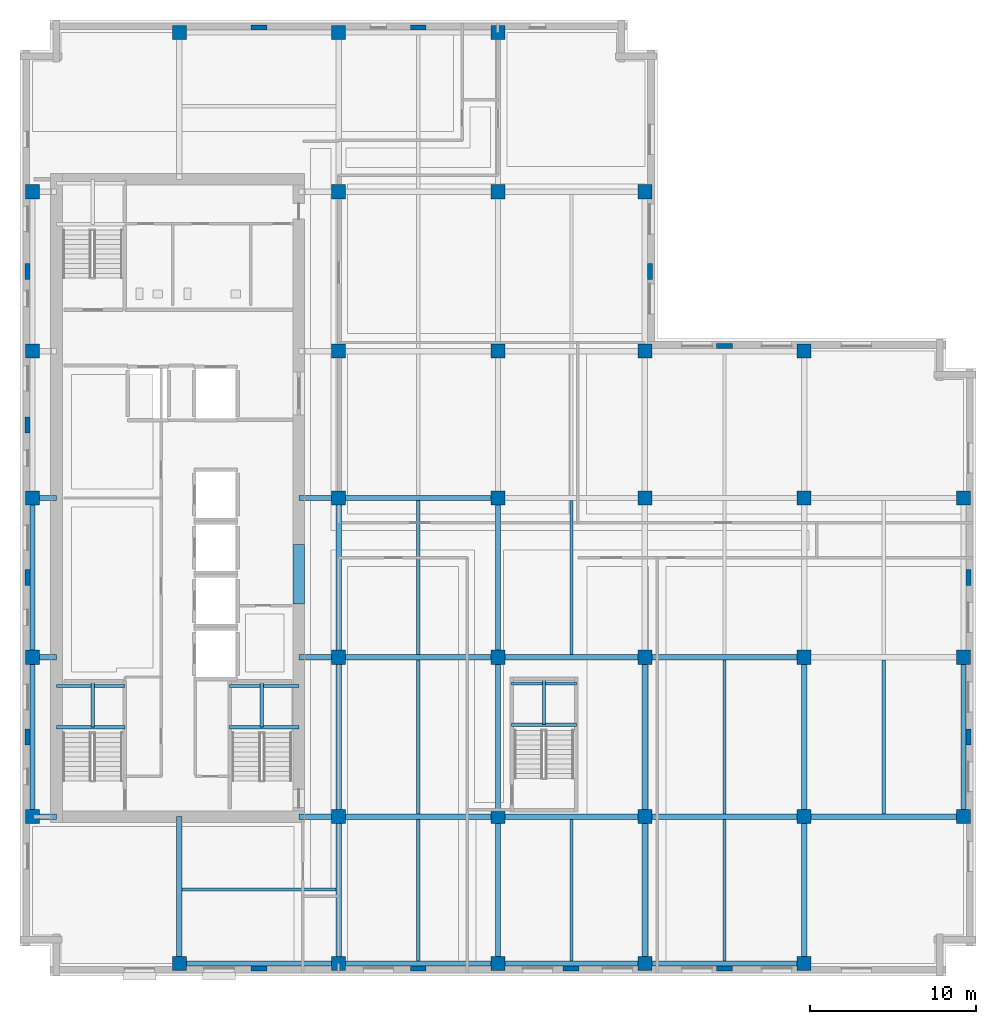
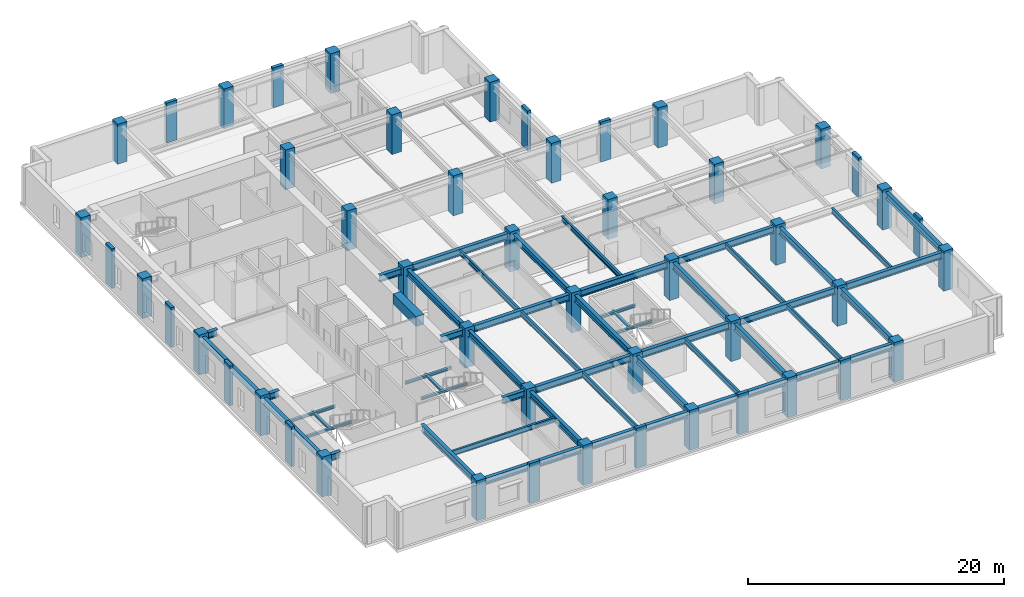
# One storey, part 1 of 14: 51 beams, 49 columns.
"""IFC4 building model written with IfcOpenShell, lengths in metres."""

from ifc_helpers import new_model, si_unit, direction, frame, origin, origin_2d, place, context, subcontext, project, spatial, rectangle, i_section, extrude, material, material_profile, profile_set, type_object, element, save


model = new_model("IFC4")

# Units and contexts
model_context = context("Model", 3, precision=1e-05, world=origin(), true_north=direction((0.0, 1.0)))
body_context = subcontext(model_context, "Body", "Model", "MODEL_VIEW")
ifc_project = project(units=[si_unit("LENGTHUNIT", "METRE"), si_unit("AREAUNIT", "SQUARE_METRE"), si_unit("VOLUMEUNIT", "CUBIC_METRE"), si_unit("PLANEANGLEUNIT", "RADIAN"), si_unit("MASSUNIT", "GRAM", prefix="KILO")], contexts=[model_context])

# Site, building, storey
site_placement = place(None, origin())
site = spatial("IfcSite", under=ifc_project, at=site_placement, CompositionType="ELEMENT")
building_placement = place(site_placement, origin())
building = spatial("IfcBuilding", under=site, at=building_placement, Name="Norrvale University Quadrangle", CompositionType="ELEMENT")
storey_placement = place(building_placement, frame((0.0, 0.0, 214.199951171875)))
storey = spatial("IfcBuildingStorey", under=building, at=storey_placement, Name="L54", CompositionType="ELEMENT", Elevation=214.199951171875)

# Columns
ifc_material_1 = material(Name="Red Manganese Brick Concrete C60/75", Category="concrete")
ifc_material_profile_1 = material_profile(ifc_material_1, rectangle(XDim=0.949951171875, YDim=0.300048828125, at=origin_2d()), Name="Red Manganese Brick Concrete C60/75")
ifc_profile_set_1 = profile_set([ifc_material_profile_1], Name="Red Manganese Brick Concrete C60/75")
column_type_1 = type_object("IfcColumnType", Name="Column Brick Pier 950x300", PredefinedType="PILASTER", material=ifc_profile_set_1)
for number, where, z_axis, x_axis, name in (
    (1, (0.449951171875, 14.39990234375, 0.0), (0.0, 0.0, 1.0), (0.0, 1.0, 0.0), "Exterior Brick Facade Pilaster L54-01"),
    (2, (0.449951171875, 24.0, 0.0), (0.0, 0.0, 1.0), (0.0, 1.0, 0.0), "Exterior Brick Facade Pilaster L54-02"),
    (3, (0.449951171875, 33.199951171875, 0.0), (0.0, 0.0, 1.0), (0.0, 1.0, 0.0), "Exterior Brick Facade Pilaster L54-03"),
    (4, (0.449951171875, 42.449951171875, 0.0), (0.0, 0.0, 1.0), (0.0, 1.0, 0.0), "Exterior Brick Facade Pilaster L54-04"),
    (5, (14.39990234375, 0.449951171875, 0.0), (0.0, 0.0, 1.0), (1.0, 0.0, 0.0), "Exterior Brick Facade Pilaster L54-05"),
    (6, (24.0, 0.449951171875, 0.0), (0.0, 0.0, 1.0), (1.0, 0.0, 0.0), "Exterior Brick Facade Pilaster L54-06"),
    (7, (33.199951171875, 0.449951171875, 0.0), (0.0, 0.0, 1.0), (1.0, 0.0, 0.0), "Exterior Brick Facade Pilaster L54-07"),
    (8, (42.449951171875, 0.449951171875, 0.0), (0.0, 0.0, 1.0), (1.0, 0.0, 0.0), "Exterior Brick Facade Pilaster L54-08"),
    (9, (57.14990234375, 14.39990234375, 0.0), (0.0, 0.0, 1.0), (0.0, 1.0, 0.0), "Exterior Brick Facade Pilaster L54-09"),
    (10, (57.14990234375, 24.0, 0.0), (0.0, 0.0, 1.0), (0.0, 1.0, 0.0), "Exterior Brick Facade Pilaster L54-10"),
    (11, (14.39990234375, 57.14990234375, 0.0), (0.0, 0.0, 1.0), (1.0, 0.0, 0.0), "Exterior Brick Facade Pilaster L54-11"),
    (12, (24.0, 57.14990234375, 0.0), (0.0, 0.0, 1.0), (1.0, 0.0, 0.0), "Exterior Brick Facade Pilaster L54-12"),
    (13, (37.949951171875, 42.449951171875, 0.0), (0.0, 0.0, 1.0), (0.0, 1.0, 0.0), "Exterior Brick Facade Pilaster L54-13"),
    (14, (42.449951171875, 37.949951171875, 0.0), (0.0, 0.0, 1.0), (1.0, 0.0, 0.0), "Exterior Brick Facade Pilaster L54-14"),
):
    element("IfcColumn", number, at=place(storey_placement, frame(where, z_axis=z_axis, x_axis=x_axis)), inside=storey, type_object=column_type_1, Name=name, PredefinedType="PILASTER", context=body_context, shape_type="SweptSolid", body=[
        extrude(rectangle(XDim=0.949951171875, YDim=0.300048828125, at=origin_2d()), origin(), (0.0, 0.0, 1.0), 3.800048828125),
    ])
ifc_material_2 = material(Name="Concrete C60/75", Category="concrete")
ifc_material_profile_2 = material_profile(ifc_material_2, rectangle(XDim=0.85009765625, YDim=0.85009765625, at=origin_2d()), Name="Concrete C60/75")
ifc_profile_set_2 = profile_set([ifc_material_profile_2], Name="Concrete C60/75")
column_type_2 = type_object("IfcColumnType", Name="Column Tower Z3 850x850", PredefinedType="COLUMN", material=ifc_profile_set_2)
for number, where, z_axis, x_axis, name in (
    (15, (0.75, 9.60009765625, 0.0), (0.0, 0.0, 1.0), (1.0, 0.0, 0.0), "Tower Column L54-T01"),
    (16, (0.75, 19.199951171875, 0.0), (0.0, 0.0, 1.0), (1.0, 0.0, 0.0), "Tower Column L54-T02"),
    (17, (0.75, 28.800048828125, 0.0), (0.0, 0.0, 1.0), (1.0, 0.0, 0.0), "Tower Column L54-T03"),
    (18, (0.75, 37.64990234375, 0.0), (0.0, 0.0, 1.0), (1.0, 0.0, 0.0), "Tower Column L54-T04"),
    (19, (0.75, 47.25, 0.0), (0.0, 0.0, 1.0), (1.0, 0.0, 0.0), "Tower Column L54-T05"),
    (20, (9.60009765625, 0.75, 0.0), (0.0, 0.0, 1.0), (1.0, 0.0, 0.0), "Tower Column L54-T06"),
    (21, (9.60009765625, 56.85009765625, 0.0), (0.0, 0.0, 1.0), (1.0, 0.0, 0.0), "Tower Column L54-T07"),
    (22, (19.199951171875, 0.75, 0.0), (0.0, 0.0, 1.0), (1.0, 0.0, 0.0), "Tower Column L54-T08"),
    (23, (19.199951171875, 9.60009765625, 0.0), (0.0, 0.0, 1.0), (1.0, 0.0, 0.0), "Tower Column L54-T09"),
    (24, (19.199951171875, 19.199951171875, 0.0), (0.0, 0.0, 1.0), (1.0, 0.0, 0.0), "Tower Column L54-T10"),
    (25, (19.199951171875, 28.800048828125, 0.0), (0.0, 0.0, 1.0), (1.0, 0.0, 0.0), "Tower Column L54-T11"),
    (26, (19.199951171875, 37.64990234375, 0.0), (0.0, 0.0, 1.0), (1.0, 0.0, 0.0), "Tower Column L54-T12"),
    (27, (19.199951171875, 47.25, 0.0), (0.0, 0.0, 1.0), (1.0, 0.0, 0.0), "Tower Column L54-T13"),
    (28, (19.199951171875, 56.85009765625, 0.0), (0.0, 0.0, 1.0), (1.0, 0.0, 0.0), "Tower Column L54-T14"),
    (29, (28.800048828125, 0.75, 0.0), (0.0, 0.0, 1.0), (1.0, 0.0, 0.0), "Tower Column L54-T15"),
    (30, (28.800048828125, 9.60009765625, 0.0), (0.0, 0.0, 1.0), (1.0, 0.0, 0.0), "Tower Column L54-T16"),
    (31, (28.800048828125, 19.199951171875, 0.0), (0.0, 0.0, 1.0), (1.0, 0.0, 0.0), "Tower Column L54-T17"),
    (32, (28.800048828125, 28.800048828125, 0.0), (0.0, 0.0, 1.0), (1.0, 0.0, 0.0), "Tower Column L54-T18"),
    (33, (28.800048828125, 37.64990234375, 0.0), (0.0, 0.0, 1.0), (1.0, 0.0, 0.0), "Tower Column L54-T19"),
    (34, (28.800048828125, 47.25, 0.0), (0.0, 0.0, 1.0), (1.0, 0.0, 0.0), "Tower Column L54-T20"),
    (35, (28.800048828125, 56.85009765625, 0.0), (0.0, 0.0, 1.0), (1.0, 0.0, 0.0), "Tower Column L54-T21"),
    (36, (37.64990234375, 0.75, 0.0), (0.0, 0.0, 1.0), (1.0, 0.0, 0.0), "Tower Column L54-T22"),
    (37, (37.64990234375, 9.60009765625, 0.0), (0.0, 0.0, 1.0), (1.0, 0.0, 0.0), "Tower Column L54-T23"),
    (38, (37.64990234375, 19.199951171875, 0.0), (0.0, 0.0, 1.0), (1.0, 0.0, 0.0), "Tower Column L54-T24"),
    (39, (37.64990234375, 28.800048828125, 0.0), (0.0, 0.0, 1.0), (1.0, 0.0, 0.0), "Tower Column L54-T25"),
    (40, (37.64990234375, 37.64990234375, 0.0), (0.0, 0.0, 1.0), (1.0, 0.0, 0.0), "Tower Column L54-T26"),
    (41, (37.64990234375, 47.25, 0.0), (0.0, 0.0, 1.0), (1.0, 0.0, 0.0), "Tower Column L54-T27"),
    (42, (47.25, 0.75, 0.0), (0.0, 0.0, 1.0), (1.0, 0.0, 0.0), "Tower Column L54-T28"),
    (43, (47.25, 9.60009765625, 0.0), (0.0, 0.0, 1.0), (1.0, 0.0, 0.0), "Tower Column L54-T29"),
    (44, (47.25, 19.199951171875, 0.0), (0.0, 0.0, 1.0), (1.0, 0.0, 0.0), "Tower Column L54-T30"),
    (45, (47.25, 28.800048828125, 0.0), (0.0, 0.0, 1.0), (1.0, 0.0, 0.0), "Tower Column L54-T31"),
    (46, (47.25, 37.64990234375, 0.0), (0.0, 0.0, 1.0), (1.0, 0.0, 0.0), "Tower Column L54-T32"),
    (47, (56.85009765625, 9.60009765625, 0.0), (0.0, 0.0, 1.0), (1.0, 0.0, 0.0), "Tower Column L54-T33"),
    (48, (56.85009765625, 19.199951171875, 0.0), (0.0, 0.0, 1.0), (1.0, 0.0, 0.0), "Tower Column L54-T34"),
    (49, (56.85009765625, 28.800048828125, 0.0), (0.0, 0.0, 1.0), (1.0, 0.0, 0.0), "Tower Column L54-T35"),
):
    element("IfcColumn", number, at=place(storey_placement, frame(where, z_axis=z_axis, x_axis=x_axis)), inside=storey, type_object=column_type_2, Name=name, PredefinedType="COLUMN", context=body_context, shape_type="SweptSolid", body=[
        extrude(rectangle(XDim=0.85009765625, YDim=0.85009765625, at=origin_2d()), origin(), (0.0, 0.0, 1.0), 3.800048828125),
    ])

# Beams
ifc_material_3 = material(Name="Steel 350W", Category="steel")
ifc_material_profile_3 = material_profile(ifc_material_3, i_section(OverallWidth=0.324951171875, OverallDepth=0.615966796875, WebThickness=0.013916015625, FlangeThickness=0.021484375, FilletRadius=0.01611328125, at=origin_2d()), Name="Steel 350W")
ifc_profile_set_3 = profile_set([ifc_material_profile_3], Name="Steel 350W")
beam_type_1 = type_object("IfcBeamType", Name="Beam Belt W610x174", PredefinedType="BEAM", material=ifc_profile_set_3)
beam_1_placement = place(storey_placement, frame((9.60009765625, 0.75, 3.23193359375), z_axis=(1.0, 0.0, 0.0), x_axis=(0.0, 1.0, 0.0)))
element("IfcBeam", 50, at=beam_1_placement, inside=storey, type_object=beam_type_1, Name="Beam Belt W610x174 BM-L54-GX001", PredefinedType="BEAM", context=body_context, shape_type="SweptSolid", body=[
    extrude(i_section(OverallWidth=0.324951171875, OverallDepth=0.615966796875, WebThickness=0.013916015625, FlangeThickness=0.021484375, FilletRadius=0.01611328125, at=origin_2d()), origin(), (0.0, 0.0, 1.0), 9.599853515625),
])
beam_2_placement = place(storey_placement, frame((19.199951171875, 0.75, 3.23193359375), z_axis=(1.0, 0.0, 0.0), x_axis=(0.0, 1.0, 0.0)))
element("IfcBeam", 51, at=beam_2_placement, inside=storey, type_object=beam_type_1, Name="Beam Belt W610x174 BM-L54-GX002", PredefinedType="BEAM", context=body_context, shape_type="SweptSolid", body=[
    extrude(i_section(OverallWidth=0.324951171875, OverallDepth=0.615966796875, WebThickness=0.013916015625, FlangeThickness=0.021484375, FilletRadius=0.01611328125, at=origin_2d()), origin(), (0.0, 0.0, 1.0), 9.60009765625),
])
beam_3_placement = place(storey_placement, frame((28.800048828125, 0.75, 3.23193359375), z_axis=(1.0, 0.0, 0.0), x_axis=(0.0, 1.0, 0.0)))
element("IfcBeam", 52, at=beam_3_placement, inside=storey, type_object=beam_type_1, Name="Beam Belt W610x174 BM-L54-GX003", PredefinedType="BEAM", context=body_context, shape_type="SweptSolid", body=[
    extrude(i_section(OverallWidth=0.324951171875, OverallDepth=0.615966796875, WebThickness=0.013916015625, FlangeThickness=0.021484375, FilletRadius=0.01611328125, at=origin_2d()), origin(), (0.0, 0.0, 1.0), 8.849853515625),
])
for number, where, z_axis, x_axis, name in (
    (53, (37.64990234375, 0.75, 3.23193359375), (1.0, 0.0, 0.0), (0.0, 1.0, 0.0), "Beam Belt W610x174 BM-L54-GX004"),
    (54, (19.199951171875, 9.60009765625, 3.23193359375), (1.0, 0.0, 0.0), (0.0, 1.0, 0.0), "Beam Belt W610x174 BM-L54-GX005"),
):
    element("IfcBeam", number, at=place(storey_placement, frame(where, z_axis=z_axis, x_axis=x_axis)), inside=storey, type_object=beam_type_1, Name=name, PredefinedType="BEAM", context=body_context, shape_type="SweptSolid", body=[
        extrude(i_section(OverallWidth=0.324951171875, OverallDepth=0.615966796875, WebThickness=0.013916015625, FlangeThickness=0.021484375, FilletRadius=0.01611328125, at=origin_2d()), origin(), (0.0, 0.0, 1.0), 9.60009765625),
    ])
beam_4_placement = place(storey_placement, frame((28.800048828125, 9.60009765625, 3.23193359375), z_axis=(1.0, 0.0, 0.0), x_axis=(0.0, 1.0, 0.0)))
element("IfcBeam", 55, at=beam_4_placement, inside=storey, type_object=beam_type_1, Name="Beam Belt W610x174 BM-L54-GX006", PredefinedType="BEAM", context=body_context, shape_type="SweptSolid", body=[
    extrude(i_section(OverallWidth=0.324951171875, OverallDepth=0.615966796875, WebThickness=0.013916015625, FlangeThickness=0.021484375, FilletRadius=0.01611328125, at=origin_2d()), origin(), (0.0, 0.0, 1.0), 8.849853515625),
])
for number, where, z_axis, x_axis, name in (
    (56, (37.64990234375, 9.60009765625, 3.23193359375), (1.0, 0.0, 0.0), (0.0, 1.0, 0.0), "Beam Belt W610x174 BM-L54-GX007"),
    (57, (47.25, 9.60009765625, 3.23193359375), (1.0, 0.0, 0.0), (0.0, 1.0, 0.0), "Beam Belt W610x174 BM-L54-GX008"),
    (58, (19.199951171875, 19.199951171875, 3.23193359375), (1.0, 0.0, 0.0), (0.0, 1.0, 0.0), "Beam Belt W610x174 BM-L54-GX009"),
):
    element("IfcBeam", number, at=place(storey_placement, frame(where, z_axis=z_axis, x_axis=x_axis)), inside=storey, type_object=beam_type_1, Name=name, PredefinedType="BEAM", context=body_context, shape_type="SweptSolid", body=[
        extrude(i_section(OverallWidth=0.324951171875, OverallDepth=0.615966796875, WebThickness=0.013916015625, FlangeThickness=0.021484375, FilletRadius=0.01611328125, at=origin_2d()), origin(), (0.0, 0.0, 1.0), 9.60009765625),
    ])
beam_5_placement = place(storey_placement, frame((28.800048828125, 19.199951171875, 3.23193359375), z_axis=(1.0, 0.0, 0.0), x_axis=(0.0, 1.0, 0.0)))
element("IfcBeam", 59, at=beam_5_placement, inside=storey, type_object=beam_type_1, Name="Beam Belt W610x174 BM-L54-GX010", PredefinedType="BEAM", context=body_context, shape_type="SweptSolid", body=[
    extrude(i_section(OverallWidth=0.324951171875, OverallDepth=0.615966796875, WebThickness=0.013916015625, FlangeThickness=0.021484375, FilletRadius=0.01611328125, at=origin_2d()), origin(), (0.0, 0.0, 1.0), 8.849853515625),
])
for number, where, z_axis, x_axis, name in (
    (60, (37.64990234375, 19.199951171875, 3.23193359375), (1.0, 0.0, 0.0), (0.0, 1.0, 0.0), "Beam Belt W610x174 BM-L54-GX011"),
    (61, (19.199951171875, 28.800048828125, 3.23193359375), (1.0, 0.0, 0.0), (0.0, 1.0, 0.0), "Beam Belt W610x174 BM-L54-GX013"),
):
    element("IfcBeam", number, at=place(storey_placement, frame(where, z_axis=z_axis, x_axis=x_axis)), inside=storey, type_object=beam_type_1, Name=name, PredefinedType="BEAM", context=body_context, shape_type="SweptSolid", body=[
        extrude(i_section(OverallWidth=0.324951171875, OverallDepth=0.615966796875, WebThickness=0.013916015625, FlangeThickness=0.021484375, FilletRadius=0.01611328125, at=origin_2d()), origin(), (0.0, 0.0, 1.0), 9.60009765625),
    ])
beam_6_placement = place(storey_placement, frame((0.75, 9.60009765625, 3.23193359375), z_axis=(0.0, 1.0, 0.0), x_axis=(-1.0, 0.0, 0.0)))
element("IfcBeam", 62, at=beam_6_placement, inside=storey, type_object=beam_type_1, Name="Beam Belt W610x174 BM-L54-GY024", PredefinedType="BEAM", context=body_context, shape_type="SweptSolid", body=[
    extrude(i_section(OverallWidth=0.324951171875, OverallDepth=0.615966796875, WebThickness=0.013916015625, FlangeThickness=0.021484375, FilletRadius=0.01611328125, at=origin_2d()), origin(), (0.0, 0.0, 1.0), 9.599853515625),
])
beam_7_placement = place(storey_placement, frame((0.75, 19.199951171875, 3.23193359375), z_axis=(0.0, 1.0, 0.0), x_axis=(-1.0, 0.0, 0.0)))
element("IfcBeam", 63, at=beam_7_placement, inside=storey, type_object=beam_type_1, Name="Beam Belt W610x174 BM-L54-GY025", PredefinedType="BEAM", context=body_context, shape_type="SweptSolid", body=[
    extrude(i_section(OverallWidth=0.324951171875, OverallDepth=0.615966796875, WebThickness=0.013916015625, FlangeThickness=0.021484375, FilletRadius=0.01611328125, at=origin_2d()), origin(), (0.0, 0.0, 1.0), 9.60009765625),
])
beam_8_placement = place(storey_placement, frame((19.199951171875, 0.75, 3.23193359375), z_axis=(0.0, 1.0, 0.0), x_axis=(-1.0, 0.0, 0.0)))
element("IfcBeam", 64, at=beam_8_placement, inside=storey, type_object=beam_type_1, Name="Beam Belt W610x174 BM-L54-GY028", PredefinedType="BEAM", context=body_context, shape_type="SweptSolid", body=[
    extrude(i_section(OverallWidth=0.324951171875, OverallDepth=0.615966796875, WebThickness=0.013916015625, FlangeThickness=0.021484375, FilletRadius=0.01611328125, at=origin_2d()), origin(), (0.0, 0.0, 1.0), 8.85009765625),
])
beam_9_placement = place(storey_placement, frame((19.199951171875, 9.60009765625, 3.23193359375), z_axis=(0.0, 1.0, 0.0), x_axis=(-1.0, 0.0, 0.0)))
element("IfcBeam", 65, at=beam_9_placement, inside=storey, type_object=beam_type_1, Name="Beam Belt W610x174 BM-L54-GY029", PredefinedType="BEAM", context=body_context, shape_type="SweptSolid", body=[
    extrude(i_section(OverallWidth=0.324951171875, OverallDepth=0.615966796875, WebThickness=0.013916015625, FlangeThickness=0.021484375, FilletRadius=0.01611328125, at=origin_2d()), origin(), (0.0, 0.0, 1.0), 9.599853515625),
])
beam_10_placement = place(storey_placement, frame((19.199951171875, 19.199951171875, 3.23193359375), z_axis=(0.0, 1.0, 0.0), x_axis=(-1.0, 0.0, 0.0)))
element("IfcBeam", 66, at=beam_10_placement, inside=storey, type_object=beam_type_1, Name="Beam Belt W610x174 BM-L54-GY030", PredefinedType="BEAM", context=body_context, shape_type="SweptSolid", body=[
    extrude(i_section(OverallWidth=0.324951171875, OverallDepth=0.615966796875, WebThickness=0.013916015625, FlangeThickness=0.021484375, FilletRadius=0.01611328125, at=origin_2d()), origin(), (0.0, 0.0, 1.0), 9.60009765625),
])
beam_11_placement = place(storey_placement, frame((28.800048828125, 0.75, 3.23193359375), z_axis=(0.0, 1.0, 0.0), x_axis=(-1.0, 0.0, 0.0)))
element("IfcBeam", 67, at=beam_11_placement, inside=storey, type_object=beam_type_1, Name="Beam Belt W610x174 BM-L54-GY034", PredefinedType="BEAM", context=body_context, shape_type="SweptSolid", body=[
    extrude(i_section(OverallWidth=0.324951171875, OverallDepth=0.615966796875, WebThickness=0.013916015625, FlangeThickness=0.021484375, FilletRadius=0.01611328125, at=origin_2d()), origin(), (0.0, 0.0, 1.0), 8.85009765625),
])
beam_12_placement = place(storey_placement, frame((28.800048828125, 9.60009765625, 3.23193359375), z_axis=(0.0, 1.0, 0.0), x_axis=(-1.0, 0.0, 0.0)))
element("IfcBeam", 68, at=beam_12_placement, inside=storey, type_object=beam_type_1, Name="Beam Belt W610x174 BM-L54-GY035", PredefinedType="BEAM", context=body_context, shape_type="SweptSolid", body=[
    extrude(i_section(OverallWidth=0.324951171875, OverallDepth=0.615966796875, WebThickness=0.013916015625, FlangeThickness=0.021484375, FilletRadius=0.01611328125, at=origin_2d()), origin(), (0.0, 0.0, 1.0), 9.599853515625),
])
beam_13_placement = place(storey_placement, frame((28.800048828125, 19.199951171875, 3.23193359375), z_axis=(0.0, 1.0, 0.0), x_axis=(-1.0, 0.0, 0.0)))
element("IfcBeam", 69, at=beam_13_placement, inside=storey, type_object=beam_type_1, Name="Beam Belt W610x174 BM-L54-GY036", PredefinedType="BEAM", context=body_context, shape_type="SweptSolid", body=[
    extrude(i_section(OverallWidth=0.324951171875, OverallDepth=0.615966796875, WebThickness=0.013916015625, FlangeThickness=0.021484375, FilletRadius=0.01611328125, at=origin_2d()), origin(), (0.0, 0.0, 1.0), 9.60009765625),
])
beam_14_placement = place(storey_placement, frame((37.64990234375, 0.75, 3.23193359375), z_axis=(0.0, 1.0, 0.0), x_axis=(-1.0, 0.0, 0.0)))
element("IfcBeam", 70, at=beam_14_placement, inside=storey, type_object=beam_type_1, Name="Beam Belt W610x174 BM-L54-GY040", PredefinedType="BEAM", context=body_context, shape_type="SweptSolid", body=[
    extrude(i_section(OverallWidth=0.324951171875, OverallDepth=0.615966796875, WebThickness=0.013916015625, FlangeThickness=0.021484375, FilletRadius=0.01611328125, at=origin_2d()), origin(), (0.0, 0.0, 1.0), 8.85009765625),
])
beam_15_placement = place(storey_placement, frame((37.64990234375, 9.60009765625, 3.23193359375), z_axis=(0.0, 1.0, 0.0), x_axis=(-1.0, 0.0, 0.0)))
element("IfcBeam", 71, at=beam_15_placement, inside=storey, type_object=beam_type_1, Name="Beam Belt W610x174 BM-L54-GY041", PredefinedType="BEAM", context=body_context, shape_type="SweptSolid", body=[
    extrude(i_section(OverallWidth=0.324951171875, OverallDepth=0.615966796875, WebThickness=0.013916015625, FlangeThickness=0.021484375, FilletRadius=0.01611328125, at=origin_2d()), origin(), (0.0, 0.0, 1.0), 9.599853515625),
])
beam_16_placement = place(storey_placement, frame((47.25, 0.75, 3.23193359375), z_axis=(0.0, 1.0, 0.0), x_axis=(-1.0, 0.0, 0.0)))
element("IfcBeam", 72, at=beam_16_placement, inside=storey, type_object=beam_type_1, Name="Beam Belt W610x174 BM-L54-GY045", PredefinedType="BEAM", context=body_context, shape_type="SweptSolid", body=[
    extrude(i_section(OverallWidth=0.324951171875, OverallDepth=0.615966796875, WebThickness=0.013916015625, FlangeThickness=0.021484375, FilletRadius=0.01611328125, at=origin_2d()), origin(), (0.0, 0.0, 1.0), 8.85009765625),
])
for number, where, z_axis, x_axis, name in (
    (73, (47.25, 9.60009765625, 3.23193359375), (0.0, 1.0, 0.0), (-1.0, 0.0, 0.0), "Beam Belt W610x174 BM-L54-GY046"),
    (74, (56.85009765625, 9.60009765625, 3.23193359375), (0.0, 1.0, 0.0), (-1.0, 0.0, 0.0), "Beam Belt W610x174 BM-L54-GY049"),
):
    element("IfcBeam", number, at=place(storey_placement, frame(where, z_axis=z_axis, x_axis=x_axis)), inside=storey, type_object=beam_type_1, Name=name, PredefinedType="BEAM", context=body_context, shape_type="SweptSolid", body=[
        extrude(i_section(OverallWidth=0.324951171875, OverallDepth=0.615966796875, WebThickness=0.013916015625, FlangeThickness=0.021484375, FilletRadius=0.01611328125, at=origin_2d()), origin(), (0.0, 0.0, 1.0), 9.599853515625),
    ])
beam_17_placement = place(storey_placement, frame((0.75, 9.60009765625, 3.23193359375), z_axis=(1.0, 0.0, 0.0), x_axis=(0.0, 1.0, 0.0)))
element("IfcBeam", 75, at=beam_17_placement, inside=storey, type_object=beam_type_1, Name="Beam Belt W610x174 BM-L54-GCW051", PredefinedType="BEAM", context=body_context, shape_type="SweptSolid", body=[
    extrude(i_section(OverallWidth=0.324951171875, OverallDepth=0.615966796875, WebThickness=0.013916015625, FlangeThickness=0.021484375, FilletRadius=0.01611328125, at=origin_2d()), origin(), (0.0, 0.0, 1.0), 1.449951171875),
])
beam_18_placement = place(storey_placement, frame((16.800048828125, 9.60009765625, 3.23193359375), z_axis=(1.0, 0.0, 0.0), x_axis=(0.0, 1.0, 0.0)))
element("IfcBeam", 76, at=beam_18_placement, inside=storey, type_object=beam_type_1, Name="Beam Belt W610x174 BM-L54-GCE052", PredefinedType="BEAM", context=body_context, shape_type="SweptSolid", body=[
    extrude(i_section(OverallWidth=0.324951171875, OverallDepth=0.615966796875, WebThickness=0.013916015625, FlangeThickness=0.021484375, FilletRadius=0.01611328125, at=origin_2d()), origin(), (0.0, 0.0, 1.0), 2.39990234375),
])
beam_19_placement = place(storey_placement, frame((0.75, 19.199951171875, 3.23193359375), z_axis=(1.0, 0.0, 0.0), x_axis=(0.0, 1.0, 0.0)))
element("IfcBeam", 77, at=beam_19_placement, inside=storey, type_object=beam_type_1, Name="Beam Belt W610x174 BM-L54-GCW053", PredefinedType="BEAM", context=body_context, shape_type="SweptSolid", body=[
    extrude(i_section(OverallWidth=0.324951171875, OverallDepth=0.615966796875, WebThickness=0.013916015625, FlangeThickness=0.021484375, FilletRadius=0.01611328125, at=origin_2d()), origin(), (0.0, 0.0, 1.0), 1.449951171875),
])
beam_20_placement = place(storey_placement, frame((16.800048828125, 19.199951171875, 3.23193359375), z_axis=(1.0, 0.0, 0.0), x_axis=(0.0, 1.0, 0.0)))
element("IfcBeam", 78, at=beam_20_placement, inside=storey, type_object=beam_type_1, Name="Beam Belt W610x174 BM-L54-GCE054", PredefinedType="BEAM", context=body_context, shape_type="SweptSolid", body=[
    extrude(i_section(OverallWidth=0.324951171875, OverallDepth=0.615966796875, WebThickness=0.013916015625, FlangeThickness=0.021484375, FilletRadius=0.01611328125, at=origin_2d()), origin(), (0.0, 0.0, 1.0), 2.39990234375),
])
beam_21_placement = place(storey_placement, frame((0.75, 28.800048828125, 3.23193359375), z_axis=(1.0, 0.0, 0.0), x_axis=(0.0, 1.0, 0.0)))
element("IfcBeam", 79, at=beam_21_placement, inside=storey, type_object=beam_type_1, Name="Beam Belt W610x174 BM-L54-GCW055", PredefinedType="BEAM", context=body_context, shape_type="SweptSolid", body=[
    extrude(i_section(OverallWidth=0.324951171875, OverallDepth=0.615966796875, WebThickness=0.013916015625, FlangeThickness=0.021484375, FilletRadius=0.01611328125, at=origin_2d()), origin(), (0.0, 0.0, 1.0), 1.449951171875),
])
beam_22_placement = place(storey_placement, frame((16.800048828125, 28.800048828125, 3.23193359375), z_axis=(1.0, 0.0, 0.0), x_axis=(0.0, 1.0, 0.0)))
element("IfcBeam", 80, at=beam_22_placement, inside=storey, type_object=beam_type_1, Name="Beam Belt W610x174 BM-L54-GCE056", PredefinedType="BEAM", context=body_context, shape_type="SweptSolid", body=[
    extrude(i_section(OverallWidth=0.324951171875, OverallDepth=0.615966796875, WebThickness=0.013916015625, FlangeThickness=0.021484375, FilletRadius=0.01611328125, at=origin_2d()), origin(), (0.0, 0.0, 1.0), 2.39990234375),
])
beam_23_placement = place(storey_placement, frame((9.60009765625, 0.75, 3.23193359375), z_axis=(0.0, 1.0, 0.0), x_axis=(-1.0, 0.0, 0.0)))
element("IfcBeam", 81, at=beam_23_placement, inside=storey, type_object=beam_type_1, Name="Beam Belt W610x174 BM-L54-GCS077", PredefinedType="BEAM", context=body_context, shape_type="SweptSolid", body=[
    extrude(i_section(OverallWidth=0.324951171875, OverallDepth=0.615966796875, WebThickness=0.013916015625, FlangeThickness=0.021484375, FilletRadius=0.01611328125, at=origin_2d()), origin(), (0.0, 0.0, 1.0), 8.85009765625),
])
ifc_material_4 = material(Name="Concrete C80/95", Category="concrete")
ifc_material_profile_4 = material_profile(ifc_material_4, rectangle(XDim=0.699951171875, YDim=0.949951171875, at=origin_2d()), Name="Concrete C80/95")
ifc_profile_set_4 = profile_set([ifc_material_profile_4], Name="Concrete C80/95")
beam_type_2 = type_object("IfcBeamType", Name="Beam Core Link 700x950", PredefinedType="LINTEL", material=ifc_profile_set_4)
beam_24_placement = place(storey_placement, frame((16.800048828125, 22.39990234375, 3.06494140625), z_axis=(0.0, 1.0, 0.0), x_axis=(-1.0, 0.0, 0.0)))
element("IfcBeam", 82, at=beam_24_placement, inside=storey, type_object=beam_type_2, Name="Core Coupling Lintel Beam L54-1", PredefinedType="LINTEL", context=body_context, shape_type="SweptSolid", body=[
    extrude(rectangle(XDim=0.699951171875, YDim=0.949951171875, at=origin_2d()), origin(), (0.0, 0.0, 1.0), 3.60009765625),
])
ifc_material_profile_5 = material_profile(ifc_material_3, i_section(OverallWidth=0.194091796875, OverallDepth=0.468994140625, WebThickness=0.0126953125, FlangeThickness=0.0205078125, FilletRadius=0.012939453125, at=origin_2d()), Name="Steel 350W")
ifc_profile_set_5 = profile_set([ifc_material_profile_5], Name="Steel 350W")
beam_type_3 = type_object("IfcBeamType", Name="Beam Floor W460x106", PredefinedType="BEAM", material=ifc_profile_set_5)
beam_25_placement = place(storey_placement, frame((24.0, 0.91259765625, 3.3056640625), z_axis=(0.0, 1.0, 0.0), x_axis=(-1.0, 0.0, 0.0)))
element("IfcBeam", 83, at=beam_25_placement, inside=storey, type_object=beam_type_3, Name="Beam Floor W460x106 BM-L54-J061", PredefinedType="BEAM", context=body_context, shape_type="SweptSolid", body=[
    extrude(i_section(OverallWidth=0.194091796875, OverallDepth=0.468994140625, WebThickness=0.0126953125, FlangeThickness=0.0205078125, FilletRadius=0.012939453125, at=origin_2d()), origin(), (0.0, 0.0, 1.0), 8.52490234375),
])
beam_26_placement = place(storey_placement, frame((24.0, 9.762451171875, 3.3056640625), z_axis=(0.0, 1.0, 0.0), x_axis=(-1.0, 0.0, 0.0)))
element("IfcBeam", 84, at=beam_26_placement, inside=storey, type_object=beam_type_3, Name="Beam Floor W460x106 BM-L54-J062", PredefinedType="BEAM", context=body_context, shape_type="SweptSolid", body=[
    extrude(i_section(OverallWidth=0.194091796875, OverallDepth=0.468994140625, WebThickness=0.0126953125, FlangeThickness=0.0205078125, FilletRadius=0.012939453125, at=origin_2d()), origin(), (0.0, 0.0, 1.0), 9.275146484375),
])
beam_27_placement = place(storey_placement, frame((24.0, 19.362548828125, 3.3056640625), z_axis=(0.0, 1.0, 0.0), x_axis=(-1.0, 0.0, 0.0)))
element("IfcBeam", 85, at=beam_27_placement, inside=storey, type_object=beam_type_3, Name="Beam Floor W460x106 BM-L54-J063", PredefinedType="BEAM", context=body_context, shape_type="SweptSolid", body=[
    extrude(i_section(OverallWidth=0.194091796875, OverallDepth=0.468994140625, WebThickness=0.0126953125, FlangeThickness=0.0205078125, FilletRadius=0.012939453125, at=origin_2d()), origin(), (0.0, 0.0, 1.0), 9.27490234375),
])
beam_28_placement = place(storey_placement, frame((33.22509765625, 0.91259765625, 3.3056640625), z_axis=(0.0, 1.0, 0.0), x_axis=(-1.0, 0.0, 0.0)))
element("IfcBeam", 86, at=beam_28_placement, inside=storey, type_object=beam_type_3, Name="Beam Floor W460x106 BM-L54-J067", PredefinedType="BEAM", context=body_context, shape_type="SweptSolid", body=[
    extrude(i_section(OverallWidth=0.194091796875, OverallDepth=0.468994140625, WebThickness=0.0126953125, FlangeThickness=0.0205078125, FilletRadius=0.012939453125, at=origin_2d()), origin(), (0.0, 0.0, 1.0), 8.52490234375),
])
beam_29_placement = place(storey_placement, frame((33.22509765625, 19.362548828125, 3.3056640625), z_axis=(0.0, 1.0, 0.0), x_axis=(-1.0, 0.0, 0.0)))
element("IfcBeam", 87, at=beam_29_placement, inside=storey, type_object=beam_type_3, Name="Beam Floor W460x106 BM-L54-J068", PredefinedType="BEAM", context=body_context, shape_type="SweptSolid", body=[
    extrude(i_section(OverallWidth=0.194091796875, OverallDepth=0.468994140625, WebThickness=0.0126953125, FlangeThickness=0.0205078125, FilletRadius=0.012939453125, at=origin_2d()), origin(), (0.0, 0.0, 1.0), 9.27490234375),
])
beam_30_placement = place(storey_placement, frame((42.449951171875, 0.91259765625, 3.3056640625), z_axis=(0.0, 1.0, 0.0), x_axis=(-1.0, 0.0, 0.0)))
element("IfcBeam", 88, at=beam_30_placement, inside=storey, type_object=beam_type_3, Name="Beam Floor W460x106 BM-L54-J071", PredefinedType="BEAM", context=body_context, shape_type="SweptSolid", body=[
    extrude(i_section(OverallWidth=0.194091796875, OverallDepth=0.468994140625, WebThickness=0.0126953125, FlangeThickness=0.0205078125, FilletRadius=0.012939453125, at=origin_2d()), origin(), (0.0, 0.0, 1.0), 8.52490234375),
])
for number, where, z_axis, x_axis, name in (
    (89, (42.449951171875, 9.762451171875, 3.3056640625), (0.0, 1.0, 0.0), (-1.0, 0.0, 0.0), "Beam Floor W460x106 BM-L54-J072"),
    (90, (52.050048828125, 9.762451171875, 3.3056640625), (0.0, 1.0, 0.0), (-1.0, 0.0, 0.0), "Beam Floor W460x106 BM-L54-J075"),
    (91, (9.762451171875, 5.199951171875, 3.3056640625), (1.0, 0.0, 0.0), (0.0, 1.0, 0.0), "Beam Floor W460x106 BM-L54-JCS078"),
):
    element("IfcBeam", number, at=place(storey_placement, frame(where, z_axis=z_axis, x_axis=x_axis)), inside=storey, type_object=beam_type_3, Name=name, PredefinedType="BEAM", context=body_context, shape_type="SweptSolid", body=[
        extrude(i_section(OverallWidth=0.194091796875, OverallDepth=0.468994140625, WebThickness=0.0126953125, FlangeThickness=0.0205078125, FilletRadius=0.012939453125, at=origin_2d()), origin(), (0.0, 0.0, 1.0), 9.275146484375),
    ])
ifc_material_profile_6 = material_profile(ifc_material_3, i_section(OverallWidth=0.201904296875, OverallDepth=0.2470703125, WebThickness=0.00732421875, FlangeThickness=0.010986328125, FilletRadius=0.011962890625, at=origin_2d()), Name="Steel 350W")
ifc_profile_set_6 = profile_set([ifc_material_profile_6], Name="Steel 350W")
beam_type_4 = type_object("IfcBeamType", Name="Beam Stair W250x49", PredefinedType="BEAM", material=ifc_profile_set_6)
for number, where, z_axis, x_axis, name in (
    (92, (2.199951171875, 14.989990234375, 1.57666015625), (1.0, 0.0, 0.0), (0.0, 1.0, 0.0), "Stair Mid-Landing Front Beam ST-01 L54"),
    (93, (2.199951171875, 17.469970703125, 1.57666015625), (1.0, 0.0, 0.0), (0.0, 1.0, 0.0), "Stair Mid-Landing Rear Beam ST-01 L54"),
):
    element("IfcBeam", number, at=place(storey_placement, frame(where, z_axis=z_axis, x_axis=x_axis)), inside=storey, type_object=beam_type_4, Name=name, PredefinedType="BEAM", context=body_context, shape_type="SweptSolid", body=[
        extrude(i_section(OverallWidth=0.201904296875, OverallDepth=0.2470703125, WebThickness=0.00732421875, FlangeThickness=0.010986328125, FilletRadius=0.011962890625, at=origin_2d()), origin(), (0.0, 0.0, 1.0), 4.14013671875),
    ])
for number, where, z_axis, x_axis, name in (
    (94, (12.610107421875, 14.989990234375, 1.57666015625), (1.0, 0.0, 0.0), (0.0, 1.0, 0.0), "Stair Mid-Landing Front Beam ST-03 L54"),
    (95, (12.610107421875, 17.469970703125, 1.57666015625), (1.0, 0.0, 0.0), (0.0, 1.0, 0.0), "Stair Mid-Landing Rear Beam ST-03 L54"),
):
    element("IfcBeam", number, at=place(storey_placement, frame(where, z_axis=z_axis, x_axis=x_axis)), inside=storey, type_object=beam_type_4, Name=name, PredefinedType="BEAM", context=body_context, shape_type="SweptSolid", body=[
        extrude(i_section(OverallWidth=0.201904296875, OverallDepth=0.2470703125, WebThickness=0.00732421875, FlangeThickness=0.010986328125, FilletRadius=0.011962890625, at=origin_2d()), origin(), (0.0, 0.0, 1.0), 4.18994140625),
    ])
for number, where, z_axis, x_axis, name in (
    (96, (29.610107421875, 15.139892578125, 1.57666015625), (1.0, 0.0, 0.0), (0.0, 1.0, 0.0), "Stair Mid-Landing Front Beam ST-04 L54"),
    (97, (29.610107421875, 17.6201171875, 1.57666015625), (1.0, 0.0, 0.0), (0.0, 1.0, 0.0), "Stair Mid-Landing Rear Beam ST-04 L54"),
):
    element("IfcBeam", number, at=place(storey_placement, frame(where, z_axis=z_axis, x_axis=x_axis)), inside=storey, type_object=beam_type_4, Name=name, PredefinedType="BEAM", context=body_context, shape_type="SweptSolid", body=[
        extrude(i_section(OverallWidth=0.201904296875, OverallDepth=0.2470703125, WebThickness=0.00732421875, FlangeThickness=0.010986328125, FilletRadius=0.011962890625, at=origin_2d()), origin(), (0.0, 0.0, 1.0), 3.929931640625),
    ])
ifc_material_profile_7 = material_profile(ifc_material_3, i_section(OverallWidth=0.202880859375, OverallDepth=0.202880859375, WebThickness=0.007080078125, FlangeThickness=0.010986328125, FilletRadius=0.010009765625, at=origin_2d()), Name="Steel 350W")
ifc_profile_set_7 = profile_set([ifc_material_profile_7], Name="Steel 350W")
beam_type_5 = type_object("IfcBeamType", Name="Beam Trim W200x46", PredefinedType="BEAM", material=ifc_profile_set_7)
for number, where, z_axis, x_axis, name in (
    (98, (4.375, 14.989990234375, 1.5986328125), (0.0, 1.0, 0.0), (-1.0, 0.0, 0.0), "Stair Mid-Landing Cross Beam ST-01 L54"),
    (99, (14.574951171875, 14.989990234375, 1.5986328125), (0.0, 1.0, 0.0), (-1.0, 0.0, 0.0), "Stair Mid-Landing Cross Beam ST-03 L54"),
    (100, (31.574951171875, 15.139892578125, 1.5986328125), (0.0, 1.0, 0.0), (-1.0, 0.0, 0.0), "Stair Mid-Landing Cross Beam ST-04 L54"),
):
    element("IfcBeam", number, at=place(storey_placement, frame(where, z_axis=z_axis, x_axis=x_axis)), inside=storey, type_object=beam_type_5, Name=name, PredefinedType="BEAM", context=body_context, shape_type="SweptSolid", body=[
        extrude(i_section(OverallWidth=0.202880859375, OverallDepth=0.202880859375, WebThickness=0.007080078125, FlangeThickness=0.010986328125, FilletRadius=0.010009765625, at=origin_2d()), origin(), (0.0, 0.0, 1.0), 2.800048828125),
    ])

save(model, "model.ifc")
